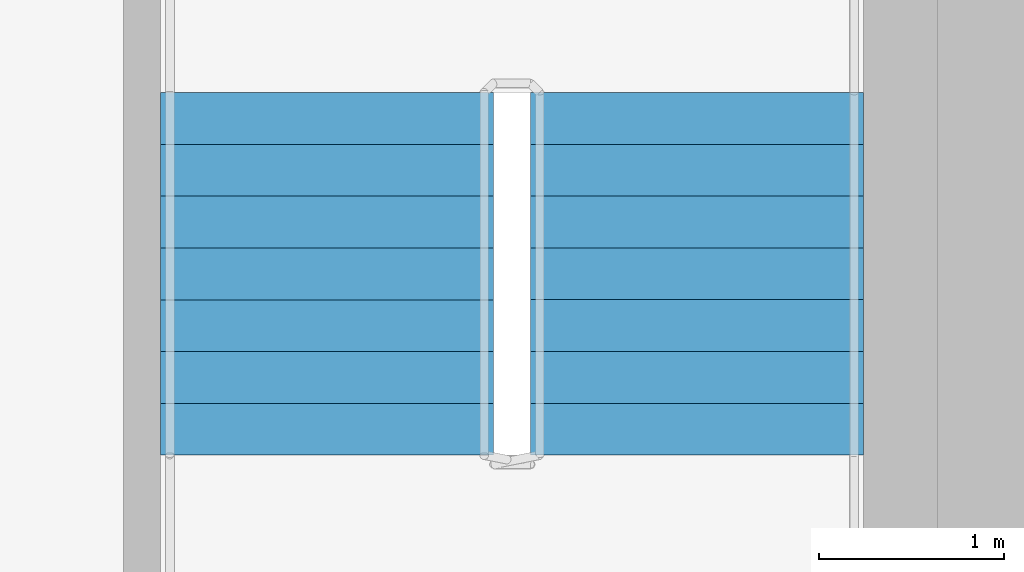
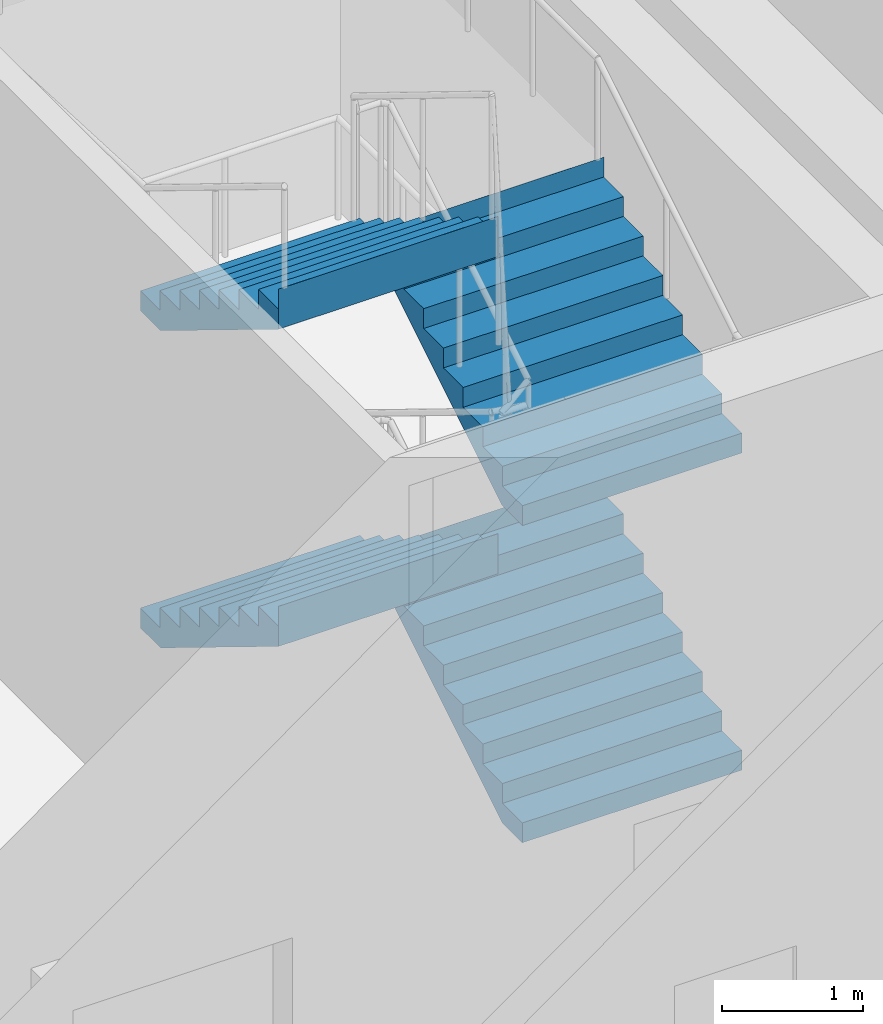
# One storey, part 12 of 15: 4 stair flights, 1 element without a shape of its own.
"""IFC4 building model written with IfcOpenShell, lengths in metres."""

from ifc_helpers import new_model, si_unit, direction, frame, origin, place, context, subcontext, project, spatial, polyline, outline, extrude, material, type_object, element, aggregate, save


model = new_model("IFC4")

# Units and contexts
model_context = context("Model", 3, precision=1e-05, world=origin(), true_north=direction((0.0, 1.0)))
body_context = subcontext(model_context, "Body", "Model", "MODEL_VIEW")
ifc_project = project(units=[si_unit("LENGTHUNIT", "METRE"), si_unit("AREAUNIT", "SQUARE_METRE"), si_unit("VOLUMEUNIT", "CUBIC_METRE"), si_unit("PLANEANGLEUNIT", "RADIAN"), si_unit("MASSUNIT", "GRAM", prefix="KILO")], contexts=[model_context])

# Site, building, storey
site_placement = place(None, origin())
site = spatial("IfcSite", under=ifc_project, at=site_placement, CompositionType="ELEMENT")
building_placement = place(site_placement, origin())
building = spatial("IfcBuilding", under=site, at=building_placement, Name="Tamorin Gate", CompositionType="ELEMENT")
storey_placement = place(building_placement, frame((0.0, 0.0, 292.199951171875)))
storey = spatial("IfcBuildingStorey", under=building, at=storey_placement, Name="L73", CompositionType="ELEMENT", Elevation=292.199951171875)

# Stair, stair flights
ifc_material = material(Name="Concrete C40/50", Category="concrete")
stair_type = type_object("IfcStairType", Name="Exit stair", PredefinedType="HALF_TURN_STAIR", material=ifc_material)
stair_placement = place(storey_placement, origin())
stair = element("IfcStair", 1, at=stair_placement, inside=storey, type_object=stair_type, Name="L73 stair ST3", PredefinedType="HALF_TURN_STAIR")
stair_flight_type = type_object("IfcStairFlightType", Name="Exit stair flight", PredefinedType="STRAIGHT", material=ifc_material)
stair_flight_1_placement = place(storey_placement, frame((58.10009765625, 62.800048828125, 0.0), z_axis=(0.0, 0.0, 1.0), x_axis=(0.0, 1.0, 0.0)))
stair_flight_1 = element("IfcStairFlight", 2, at=stair_flight_1_placement, type_object=stair_flight_type, Name="ST3 flight 1", NumberOfRisers=8, NumberOfTreads=7, PredefinedType="STRAIGHT", RiserHeight=0.171875, TreadLength=0.28, context=body_context, shape_type="SweptSolid", body=[
    extrude(outline(polyline([(-0.00048828125, 0.0), (-0.00048828125, 0.001708984375), (-0.00048828125, 0.00341796875), (-0.00048828125, 0.005126953125), (-0.00048828125, 0.0068359375), (-0.00048828125, 0.008544921875), (-0.00048828125, 0.01025390625), (-0.00048828125, 0.011962890625), (-0.00048828125, 0.013671875), (-0.00048828125, 0.015380859375), (-0.00048828125, 0.01708984375), (-0.00048828125, 0.018798828125), (-0.00048828125, 0.0205078125), (-0.00048828125, 0.022216796875), (-0.00048828125, 0.02392578125), (-0.00048828125, 0.025634765625), (-0.00048828125, 0.02734375), (-0.00048828125, 0.02880859375), (-0.00048828125, 0.030517578125), (-0.00048828125, 0.0322265625), (-0.00048828125, 0.033935546875), (-0.00048828125, 0.03564453125), (-0.00048828125, 0.037353515625), (-0.00048828125, 0.0390625), (-0.00048828125, 0.040771484375), (-0.00048828125, 0.04248046875), (-0.00048828125, 0.044189453125), (-0.00048828125, 0.0458984375), (-0.00048828125, 0.047607421875), (-0.00048828125, 0.04931640625), (-0.00048828125, 0.051025390625), (-0.00048828125, 0.052734375), (-0.00048828125, 0.054443359375), (-0.00048828125, 0.05615234375), (-0.00048828125, 0.057861328125), (-0.00048828125, 0.0595703125), (-0.00048828125, 0.061279296875), (-0.00048828125, 0.06298828125), (-0.00048828125, 0.064697265625), (-0.00048828125, 0.06640625), (-0.00048828125, 0.068115234375), (-0.00048828125, 0.06982421875), (-0.00048828125, 0.071533203125), (-0.00048828125, 0.0732421875), (-0.00048828125, 0.074951171875), (-0.00048828125, 0.07666015625), (-0.00048828125, 0.078369140625), (-0.00048828125, 0.080078125), (-0.00048828125, 0.081787109375), (-0.00048828125, 0.08349609375), (-0.00048828125, 0.085205078125), (-0.00048828125, 0.086669921875), (-0.00048828125, 0.08837890625), (-0.00048828125, 0.090087890625), (-0.00048828125, 0.091796875), (-0.00048828125, 0.093505859375), (-0.00048828125, 0.09521484375), (-0.00048828125, 0.096923828125), (-0.00048828125, 0.0986328125), (-0.00048828125, 0.100341796875), (-0.00048828125, 0.10205078125), (-0.00048828125, 0.103759765625), (-0.00048828125, 0.10546875), (-0.00048828125, 0.107177734375), (-0.00048828125, 0.10888671875), (-0.00048828125, 0.110595703125), (-0.00048828125, 0.1123046875), (-0.00048828125, 0.114013671875), (-0.00048828125, 0.11572265625), (-0.00048828125, 0.117431640625), (-0.00048828125, 0.119140625), (-0.00048828125, 0.120849609375), (-0.00048828125, 0.12255859375), (-0.00048828125, 0.124267578125), (-0.00048828125, 0.1259765625), (-0.00048828125, 0.127685546875), (-0.00048828125, 0.12939453125), (-0.00048828125, 0.131103515625), (-0.00048828125, 0.1328125), (-0.00048828125, 0.134521484375), (-0.00048828125, 0.13623046875), (-0.00048828125, 0.137939453125), (-0.00048828125, 0.1396484375), (-0.00048828125, 0.141357421875), (-0.00048828125, 0.14306640625), (-0.00048828125, 0.14453125), (-0.00048828125, 0.146240234375), (-0.00048828125, 0.14794921875), (-0.00048828125, 0.149658203125), (-0.00048828125, 0.1513671875), (-0.00048828125, 0.153076171875), (-0.00048828125, 0.15478515625), (-0.00048828125, 0.156494140625), (-0.00048828125, 0.158203125), (-0.00048828125, 0.159912109375), (-0.00048828125, 0.16162109375), (-0.00048828125, 0.163330078125), (-0.00048828125, 0.1650390625), (-0.00048828125, 0.166748046875), (-0.00048828125, 0.16845703125), (-0.00048828125, 0.170166015625), (-0.00048828125, 0.171875), (0.280029296875, 0.171875), (0.280029296875, 0.34375), (0.56005859375, 0.34375), (0.56005859375, 0.515625), (0.840087890625, 0.515625), (0.840087890625, 0.6875), (1.1201171875, 0.6875), (1.1201171875, 0.859375), (1.39990234375, 0.859375), (1.39990234375, 1.03125), (1.679931640625, 1.03125), (1.679931640625, 1.203125), (1.9599609375, 1.203125), (1.9599609375, 1.375), (1.96044921875, 1.375), (1.96044921875, 1.37158203125), (1.96044921875, 1.3681640625), (1.96044921875, 1.36474609375), (1.96044921875, 1.361328125), (1.96044921875, 1.357666015625), (1.96044921875, 1.354248046875), (1.96044921875, 1.350830078125), (1.96044921875, 1.347412109375), (1.96044921875, 1.343994140625), (1.96044921875, 1.340576171875), (1.96044921875, 1.337158203125), (1.96044921875, 1.333740234375), (1.96044921875, 1.330322265625), (1.96044921875, 1.326904296875), (1.96044921875, 1.3232421875), (1.96044921875, 1.31982421875), (1.96044921875, 1.31640625), (1.96044921875, 1.31298828125), (1.96044921875, 1.3095703125), (1.96044921875, 1.30615234375), (1.96044921875, 1.302734375), (1.96044921875, 1.29931640625), (1.96044921875, 1.2958984375), (1.96044921875, 1.29248046875), (1.96044921875, 1.288818359375), (1.96044921875, 1.285400390625), (1.96044921875, 1.281982421875), (1.96044921875, 1.278564453125), (1.96044921875, 1.275146484375), (1.96044921875, 1.271728515625), (1.96044921875, 1.268310546875), (1.96044921875, 1.264892578125), (1.96044921875, 1.261474609375), (1.96044921875, 1.2578125), (1.96044921875, 1.25439453125), (1.96044921875, 1.2509765625), (1.96044921875, 1.24755859375), (1.96044921875, 1.244140625), (1.96044921875, 1.24072265625), (1.96044921875, 1.2373046875), (1.96044921875, 1.23388671875), (1.96044921875, 1.23046875), (1.96044921875, 1.22705078125), (1.96044921875, 1.223388671875), (1.96044921875, 1.219970703125), (1.96044921875, 1.216552734375), (1.96044921875, 1.213134765625), (1.96044921875, 1.209716796875), (1.96044921875, 1.206298828125), (1.96044921875, 1.202880859375), (1.96044921875, 1.199462890625), (1.96044921875, 1.196044921875), (1.96044921875, 1.192626953125), (1.96044921875, 1.18896484375), (1.96044921875, 1.185546875), (1.96044921875, 1.18212890625), (1.96044921875, 1.1787109375), (1.96044921875, 1.17529296875), (1.96044921875, 1.171875), (1.96044921875, 1.16845703125), (1.96044921875, 1.1650390625), (1.96044921875, 1.16162109375), (1.96044921875, 1.157958984375), (1.96044921875, 1.154541015625), (1.96044921875, 1.151123046875), (1.96044921875, 1.147705078125), (1.96044921875, 1.144287109375), (1.96044921875, 1.140869140625), (1.96044921875, 1.137451171875), (1.96044921875, 1.134033203125), (1.96044921875, 1.130615234375), (1.96044921875, 1.127197265625), (1.96044921875, 1.12353515625), (1.96044921875, 1.1201171875), (1.96044921875, 1.11669921875), (1.96044921875, 1.11328125), (1.96044921875, 1.10986328125), (1.96044921875, 1.1064453125), (1.96044921875, 1.10302734375), (1.96044921875, 1.099609375), (1.96044921875, 1.09619140625), (1.96044921875, 1.0927734375), (1.96044921875, 1.089111328125), (1.96044921875, 1.085693359375), (1.96044921875, 1.082275390625), (1.96044921875, 1.078857421875), (1.96044921875, 1.075439453125), (1.96044921875, 1.072021484375), (1.96044921875, 1.068603515625), (1.96044921875, 1.065185546875), (1.96044921875, 1.061767578125), (1.96044921875, 1.05810546875), (1.96044921875, 1.0546875), (1.96044921875, 1.05126953125), (1.96044921875, 1.0478515625), (1.96044921875, 1.04443359375), (1.96044921875, 1.041015625), (1.96044921875, 1.03759765625), (1.96044921875, 1.0341796875), (1.96044921875, 1.03076171875), (1.96044921875, 1.02734375), (1.9599609375, 1.02734375), (0.28662109375, 0.0), (-0.00048828125, 0.0)])), frame((0.0, 0.89990234375, 0.0), z_axis=(0.0, -1.0, 0.0), x_axis=(1.0, 0.0, 0.0)), (0.0, 0.0, 1.0), 1.800048828125),
])
stair_flight_2_placement = place(storey_placement, frame((56.10009765625, 64.760009765625, 1.375), z_axis=(0.0, 0.0, 1.0), x_axis=(0.0, -1.0, 0.0)))
stair_flight_2 = element("IfcStairFlight", 3, at=stair_flight_2_placement, type_object=stair_flight_type, Name="ST3 flight 2", NumberOfRisers=8, NumberOfTreads=7, PredefinedType="STRAIGHT", RiserHeight=0.171875, TreadLength=0.28, context=body_context, shape_type="SweptSolid", body=[
    extrude(outline(polyline([(-0.00048828125, 0.0), (-0.00048828125, 0.001708984375), (-0.00048828125, 0.00341796875), (-0.00048828125, 0.005126953125), (-0.00048828125, 0.0068359375), (-0.00048828125, 0.008544921875), (-0.00048828125, 0.01025390625), (-0.00048828125, 0.011962890625), (-0.00048828125, 0.013671875), (-0.00048828125, 0.015380859375), (-0.00048828125, 0.01708984375), (-0.00048828125, 0.018798828125), (-0.00048828125, 0.0205078125), (-0.00048828125, 0.022216796875), (-0.00048828125, 0.02392578125), (-0.00048828125, 0.025634765625), (-0.00048828125, 0.02734375), (-0.00048828125, 0.02880859375), (-0.00048828125, 0.030517578125), (-0.00048828125, 0.0322265625), (-0.00048828125, 0.033935546875), (-0.00048828125, 0.03564453125), (-0.00048828125, 0.037353515625), (-0.00048828125, 0.0390625), (-0.00048828125, 0.040771484375), (-0.00048828125, 0.04248046875), (-0.00048828125, 0.044189453125), (-0.00048828125, 0.0458984375), (-0.00048828125, 0.047607421875), (-0.00048828125, 0.04931640625), (-0.00048828125, 0.051025390625), (-0.00048828125, 0.052734375), (-0.00048828125, 0.054443359375), (-0.00048828125, 0.05615234375), (-0.00048828125, 0.057861328125), (-0.00048828125, 0.0595703125), (-0.00048828125, 0.061279296875), (-0.00048828125, 0.06298828125), (-0.00048828125, 0.064697265625), (-0.00048828125, 0.06640625), (-0.00048828125, 0.068115234375), (-0.00048828125, 0.06982421875), (-0.00048828125, 0.071533203125), (-0.00048828125, 0.0732421875), (-0.00048828125, 0.074951171875), (-0.00048828125, 0.07666015625), (-0.00048828125, 0.078369140625), (-0.00048828125, 0.080078125), (-0.00048828125, 0.081787109375), (-0.00048828125, 0.08349609375), (-0.00048828125, 0.085205078125), (-0.00048828125, 0.086669921875), (-0.00048828125, 0.08837890625), (-0.00048828125, 0.090087890625), (-0.00048828125, 0.091796875), (-0.00048828125, 0.093505859375), (-0.00048828125, 0.09521484375), (-0.00048828125, 0.096923828125), (-0.00048828125, 0.0986328125), (-0.00048828125, 0.100341796875), (-0.00048828125, 0.10205078125), (-0.00048828125, 0.103759765625), (-0.00048828125, 0.10546875), (-0.00048828125, 0.107177734375), (-0.00048828125, 0.10888671875), (-0.00048828125, 0.110595703125), (-0.00048828125, 0.1123046875), (-0.00048828125, 0.114013671875), (-0.00048828125, 0.11572265625), (-0.00048828125, 0.117431640625), (-0.00048828125, 0.119140625), (-0.00048828125, 0.120849609375), (-0.00048828125, 0.12255859375), (-0.00048828125, 0.124267578125), (-0.00048828125, 0.1259765625), (-0.00048828125, 0.127685546875), (-0.00048828125, 0.12939453125), (-0.00048828125, 0.131103515625), (-0.00048828125, 0.1328125), (-0.00048828125, 0.134521484375), (-0.00048828125, 0.13623046875), (-0.00048828125, 0.137939453125), (-0.00048828125, 0.1396484375), (-0.00048828125, 0.141357421875), (-0.00048828125, 0.14306640625), (-0.00048828125, 0.14453125), (-0.00048828125, 0.146240234375), (-0.00048828125, 0.14794921875), (-0.00048828125, 0.149658203125), (-0.00048828125, 0.1513671875), (-0.00048828125, 0.153076171875), (-0.00048828125, 0.15478515625), (-0.00048828125, 0.156494140625), (-0.00048828125, 0.158203125), (-0.00048828125, 0.159912109375), (-0.00048828125, 0.16162109375), (-0.00048828125, 0.163330078125), (-0.00048828125, 0.1650390625), (-0.00048828125, 0.166748046875), (-0.00048828125, 0.16845703125), (-0.00048828125, 0.170166015625), (-0.00048828125, 0.171875), (0.280029296875, 0.171875), (0.280029296875, 0.34375), (0.56005859375, 0.34375), (0.56005859375, 0.515625), (0.840087890625, 0.515625), (0.840087890625, 0.6875), (1.1201171875, 0.6875), (1.1201171875, 0.859375), (1.39990234375, 0.859375), (1.39990234375, 1.03125), (1.679931640625, 1.03125), (1.679931640625, 1.203125), (1.9599609375, 1.203125), (1.9599609375, 1.375), (1.96044921875, 1.375), (1.96044921875, 1.37158203125), (1.96044921875, 1.3681640625), (1.96044921875, 1.36474609375), (1.96044921875, 1.361328125), (1.96044921875, 1.357666015625), (1.96044921875, 1.354248046875), (1.96044921875, 1.350830078125), (1.96044921875, 1.347412109375), (1.96044921875, 1.343994140625), (1.96044921875, 1.340576171875), (1.96044921875, 1.337158203125), (1.96044921875, 1.333740234375), (1.96044921875, 1.330322265625), (1.96044921875, 1.326904296875), (1.96044921875, 1.3232421875), (1.96044921875, 1.31982421875), (1.96044921875, 1.31640625), (1.96044921875, 1.31298828125), (1.96044921875, 1.3095703125), (1.96044921875, 1.30615234375), (1.96044921875, 1.302734375), (1.96044921875, 1.29931640625), (1.96044921875, 1.2958984375), (1.96044921875, 1.29248046875), (1.96044921875, 1.288818359375), (1.96044921875, 1.285400390625), (1.96044921875, 1.281982421875), (1.96044921875, 1.278564453125), (1.96044921875, 1.275146484375), (1.96044921875, 1.271728515625), (1.96044921875, 1.268310546875), (1.96044921875, 1.264892578125), (1.96044921875, 1.261474609375), (1.96044921875, 1.2578125), (1.96044921875, 1.25439453125), (1.96044921875, 1.2509765625), (1.96044921875, 1.24755859375), (1.96044921875, 1.244140625), (1.96044921875, 1.24072265625), (1.96044921875, 1.2373046875), (1.96044921875, 1.23388671875), (1.96044921875, 1.23046875), (1.96044921875, 1.22705078125), (1.96044921875, 1.223388671875), (1.96044921875, 1.219970703125), (1.96044921875, 1.216552734375), (1.96044921875, 1.213134765625), (1.96044921875, 1.209716796875), (1.96044921875, 1.206298828125), (1.96044921875, 1.202880859375), (1.96044921875, 1.199462890625), (1.96044921875, 1.196044921875), (1.96044921875, 1.192626953125), (1.96044921875, 1.18896484375), (1.96044921875, 1.185546875), (1.96044921875, 1.18212890625), (1.96044921875, 1.1787109375), (1.96044921875, 1.17529296875), (1.96044921875, 1.171875), (1.96044921875, 1.16845703125), (1.96044921875, 1.1650390625), (1.96044921875, 1.16162109375), (1.96044921875, 1.157958984375), (1.96044921875, 1.154541015625), (1.96044921875, 1.151123046875), (1.96044921875, 1.147705078125), (1.96044921875, 1.144287109375), (1.96044921875, 1.140869140625), (1.96044921875, 1.137451171875), (1.96044921875, 1.134033203125), (1.96044921875, 1.130615234375), (1.96044921875, 1.127197265625), (1.96044921875, 1.12353515625), (1.96044921875, 1.1201171875), (1.96044921875, 1.11669921875), (1.96044921875, 1.11328125), (1.96044921875, 1.10986328125), (1.96044921875, 1.1064453125), (1.96044921875, 1.10302734375), (1.96044921875, 1.099609375), (1.96044921875, 1.09619140625), (1.96044921875, 1.0927734375), (1.96044921875, 1.089111328125), (1.96044921875, 1.085693359375), (1.96044921875, 1.082275390625), (1.96044921875, 1.078857421875), (1.96044921875, 1.075439453125), (1.96044921875, 1.072021484375), (1.96044921875, 1.068603515625), (1.96044921875, 1.065185546875), (1.96044921875, 1.061767578125), (1.96044921875, 1.05810546875), (1.96044921875, 1.0546875), (1.96044921875, 1.05126953125), (1.96044921875, 1.0478515625), (1.96044921875, 1.04443359375), (1.96044921875, 1.041015625), (1.96044921875, 1.03759765625), (1.96044921875, 1.0341796875), (1.96044921875, 1.03076171875), (1.96044921875, 1.02734375), (1.9599609375, 1.02734375), (0.28662109375, 0.0), (-0.00048828125, 0.0)])), frame((0.0, 0.89990234375, 0.0), z_axis=(0.0, -1.0, 0.0), x_axis=(1.0, 0.0, 0.0)), (0.0, 0.0, 1.0), 1.800048828125),
])
stair_flight_3_placement = place(storey_placement, frame((58.10009765625, 62.800048828125, 2.75), z_axis=(0.0, 0.0, 1.0), x_axis=(0.0, 1.0, 0.0)))
stair_flight_3 = element("IfcStairFlight", 4, at=stair_flight_3_placement, type_object=stair_flight_type, Name="ST3 flight 3", NumberOfRisers=8, NumberOfTreads=7, PredefinedType="STRAIGHT", RiserHeight=0.171875, TreadLength=0.28, context=body_context, shape_type="SweptSolid", body=[
    extrude(outline(polyline([(-0.00048828125, 0.0), (-0.00048828125, 0.001708984375), (-0.00048828125, 0.00341796875), (-0.00048828125, 0.005126953125), (-0.00048828125, 0.0068359375), (-0.00048828125, 0.008544921875), (-0.00048828125, 0.01025390625), (-0.00048828125, 0.011962890625), (-0.00048828125, 0.013671875), (-0.00048828125, 0.015380859375), (-0.00048828125, 0.01708984375), (-0.00048828125, 0.018798828125), (-0.00048828125, 0.0205078125), (-0.00048828125, 0.022216796875), (-0.00048828125, 0.02392578125), (-0.00048828125, 0.025634765625), (-0.00048828125, 0.02734375), (-0.00048828125, 0.02880859375), (-0.00048828125, 0.030517578125), (-0.00048828125, 0.0322265625), (-0.00048828125, 0.033935546875), (-0.00048828125, 0.03564453125), (-0.00048828125, 0.037353515625), (-0.00048828125, 0.0390625), (-0.00048828125, 0.040771484375), (-0.00048828125, 0.04248046875), (-0.00048828125, 0.044189453125), (-0.00048828125, 0.0458984375), (-0.00048828125, 0.047607421875), (-0.00048828125, 0.04931640625), (-0.00048828125, 0.051025390625), (-0.00048828125, 0.052734375), (-0.00048828125, 0.054443359375), (-0.00048828125, 0.05615234375), (-0.00048828125, 0.057861328125), (-0.00048828125, 0.0595703125), (-0.00048828125, 0.061279296875), (-0.00048828125, 0.06298828125), (-0.00048828125, 0.064697265625), (-0.00048828125, 0.06640625), (-0.00048828125, 0.068115234375), (-0.00048828125, 0.06982421875), (-0.00048828125, 0.071533203125), (-0.00048828125, 0.0732421875), (-0.00048828125, 0.074951171875), (-0.00048828125, 0.07666015625), (-0.00048828125, 0.078369140625), (-0.00048828125, 0.080078125), (-0.00048828125, 0.081787109375), (-0.00048828125, 0.08349609375), (-0.00048828125, 0.085205078125), (-0.00048828125, 0.086669921875), (-0.00048828125, 0.08837890625), (-0.00048828125, 0.090087890625), (-0.00048828125, 0.091796875), (-0.00048828125, 0.093505859375), (-0.00048828125, 0.09521484375), (-0.00048828125, 0.096923828125), (-0.00048828125, 0.0986328125), (-0.00048828125, 0.100341796875), (-0.00048828125, 0.10205078125), (-0.00048828125, 0.103759765625), (-0.00048828125, 0.10546875), (-0.00048828125, 0.107177734375), (-0.00048828125, 0.10888671875), (-0.00048828125, 0.110595703125), (-0.00048828125, 0.1123046875), (-0.00048828125, 0.114013671875), (-0.00048828125, 0.11572265625), (-0.00048828125, 0.117431640625), (-0.00048828125, 0.119140625), (-0.00048828125, 0.120849609375), (-0.00048828125, 0.12255859375), (-0.00048828125, 0.124267578125), (-0.00048828125, 0.1259765625), (-0.00048828125, 0.127685546875), (-0.00048828125, 0.12939453125), (-0.00048828125, 0.131103515625), (-0.00048828125, 0.1328125), (-0.00048828125, 0.134521484375), (-0.00048828125, 0.13623046875), (-0.00048828125, 0.137939453125), (-0.00048828125, 0.1396484375), (-0.00048828125, 0.141357421875), (-0.00048828125, 0.14306640625), (-0.00048828125, 0.14453125), (-0.00048828125, 0.146240234375), (-0.00048828125, 0.14794921875), (-0.00048828125, 0.149658203125), (-0.00048828125, 0.1513671875), (-0.00048828125, 0.153076171875), (-0.00048828125, 0.15478515625), (-0.00048828125, 0.156494140625), (-0.00048828125, 0.158203125), (-0.00048828125, 0.159912109375), (-0.00048828125, 0.16162109375), (-0.00048828125, 0.163330078125), (-0.00048828125, 0.1650390625), (-0.00048828125, 0.166748046875), (-0.00048828125, 0.16845703125), (-0.00048828125, 0.170166015625), (-0.00048828125, 0.171875), (0.280029296875, 0.171875), (0.280029296875, 0.34375), (0.56005859375, 0.34375), (0.56005859375, 0.515625), (0.840087890625, 0.515625), (0.840087890625, 0.6875), (1.1201171875, 0.6875), (1.1201171875, 0.859375), (1.39990234375, 0.859375), (1.39990234375, 1.03125), (1.679931640625, 1.03125), (1.679931640625, 1.203125), (1.9599609375, 1.203125), (1.9599609375, 1.375), (1.96044921875, 1.375), (1.96044921875, 1.37158203125), (1.96044921875, 1.3681640625), (1.96044921875, 1.36474609375), (1.96044921875, 1.361328125), (1.96044921875, 1.357666015625), (1.96044921875, 1.354248046875), (1.96044921875, 1.350830078125), (1.96044921875, 1.347412109375), (1.96044921875, 1.343994140625), (1.96044921875, 1.340576171875), (1.96044921875, 1.337158203125), (1.96044921875, 1.333740234375), (1.96044921875, 1.330322265625), (1.96044921875, 1.326904296875), (1.96044921875, 1.3232421875), (1.96044921875, 1.31982421875), (1.96044921875, 1.31640625), (1.96044921875, 1.31298828125), (1.96044921875, 1.3095703125), (1.96044921875, 1.30615234375), (1.96044921875, 1.302734375), (1.96044921875, 1.29931640625), (1.96044921875, 1.2958984375), (1.96044921875, 1.29248046875), (1.96044921875, 1.288818359375), (1.96044921875, 1.285400390625), (1.96044921875, 1.281982421875), (1.96044921875, 1.278564453125), (1.96044921875, 1.275146484375), (1.96044921875, 1.271728515625), (1.96044921875, 1.268310546875), (1.96044921875, 1.264892578125), (1.96044921875, 1.261474609375), (1.96044921875, 1.2578125), (1.96044921875, 1.25439453125), (1.96044921875, 1.2509765625), (1.96044921875, 1.24755859375), (1.96044921875, 1.244140625), (1.96044921875, 1.24072265625), (1.96044921875, 1.2373046875), (1.96044921875, 1.23388671875), (1.96044921875, 1.23046875), (1.96044921875, 1.22705078125), (1.96044921875, 1.223388671875), (1.96044921875, 1.219970703125), (1.96044921875, 1.216552734375), (1.96044921875, 1.213134765625), (1.96044921875, 1.209716796875), (1.96044921875, 1.206298828125), (1.96044921875, 1.202880859375), (1.96044921875, 1.199462890625), (1.96044921875, 1.196044921875), (1.96044921875, 1.192626953125), (1.96044921875, 1.18896484375), (1.96044921875, 1.185546875), (1.96044921875, 1.18212890625), (1.96044921875, 1.1787109375), (1.96044921875, 1.17529296875), (1.96044921875, 1.171875), (1.96044921875, 1.16845703125), (1.96044921875, 1.1650390625), (1.96044921875, 1.16162109375), (1.96044921875, 1.157958984375), (1.96044921875, 1.154541015625), (1.96044921875, 1.151123046875), (1.96044921875, 1.147705078125), (1.96044921875, 1.144287109375), (1.96044921875, 1.140869140625), (1.96044921875, 1.137451171875), (1.96044921875, 1.134033203125), (1.96044921875, 1.130615234375), (1.96044921875, 1.127197265625), (1.96044921875, 1.12353515625), (1.96044921875, 1.1201171875), (1.96044921875, 1.11669921875), (1.96044921875, 1.11328125), (1.96044921875, 1.10986328125), (1.96044921875, 1.1064453125), (1.96044921875, 1.10302734375), (1.96044921875, 1.099609375), (1.96044921875, 1.09619140625), (1.96044921875, 1.0927734375), (1.96044921875, 1.089111328125), (1.96044921875, 1.085693359375), (1.96044921875, 1.082275390625), (1.96044921875, 1.078857421875), (1.96044921875, 1.075439453125), (1.96044921875, 1.072021484375), (1.96044921875, 1.068603515625), (1.96044921875, 1.065185546875), (1.96044921875, 1.061767578125), (1.96044921875, 1.05810546875), (1.96044921875, 1.0546875), (1.96044921875, 1.05126953125), (1.96044921875, 1.0478515625), (1.96044921875, 1.04443359375), (1.96044921875, 1.041015625), (1.96044921875, 1.03759765625), (1.96044921875, 1.0341796875), (1.96044921875, 1.03076171875), (1.96044921875, 1.02734375), (1.9599609375, 1.02734375), (0.28662109375, 0.0), (-0.00048828125, 0.0)])), frame((0.0, 0.89990234375, 0.0), z_axis=(0.0, -1.0, 0.0), x_axis=(1.0, 0.0, 0.0)), (0.0, 0.0, 1.0), 1.800048828125),
])
stair_flight_4_placement = place(storey_placement, frame((56.10009765625, 64.760009765625, 4.125), z_axis=(0.0, 0.0, 1.0), x_axis=(0.0, -1.0, 0.0)))
stair_flight_4 = element("IfcStairFlight", 5, at=stair_flight_4_placement, type_object=stair_flight_type, Name="ST3 flight 4", NumberOfRisers=8, NumberOfTreads=7, PredefinedType="STRAIGHT", RiserHeight=0.171875, TreadLength=0.28, context=body_context, shape_type="SweptSolid", body=[
    extrude(outline(polyline([(-0.00048828125, 0.0), (-0.00048828125, 0.001708984375), (-0.00048828125, 0.00341796875), (-0.00048828125, 0.005126953125), (-0.00048828125, 0.0068359375), (-0.00048828125, 0.008544921875), (-0.00048828125, 0.01025390625), (-0.00048828125, 0.011962890625), (-0.00048828125, 0.013671875), (-0.00048828125, 0.015380859375), (-0.00048828125, 0.01708984375), (-0.00048828125, 0.018798828125), (-0.00048828125, 0.0205078125), (-0.00048828125, 0.022216796875), (-0.00048828125, 0.02392578125), (-0.00048828125, 0.025634765625), (-0.00048828125, 0.02734375), (-0.00048828125, 0.02880859375), (-0.00048828125, 0.030517578125), (-0.00048828125, 0.0322265625), (-0.00048828125, 0.033935546875), (-0.00048828125, 0.03564453125), (-0.00048828125, 0.037353515625), (-0.00048828125, 0.0390625), (-0.00048828125, 0.040771484375), (-0.00048828125, 0.04248046875), (-0.00048828125, 0.044189453125), (-0.00048828125, 0.0458984375), (-0.00048828125, 0.047607421875), (-0.00048828125, 0.04931640625), (-0.00048828125, 0.051025390625), (-0.00048828125, 0.052734375), (-0.00048828125, 0.054443359375), (-0.00048828125, 0.05615234375), (-0.00048828125, 0.057861328125), (-0.00048828125, 0.0595703125), (-0.00048828125, 0.061279296875), (-0.00048828125, 0.06298828125), (-0.00048828125, 0.064697265625), (-0.00048828125, 0.06640625), (-0.00048828125, 0.068115234375), (-0.00048828125, 0.06982421875), (-0.00048828125, 0.071533203125), (-0.00048828125, 0.0732421875), (-0.00048828125, 0.074951171875), (-0.00048828125, 0.07666015625), (-0.00048828125, 0.078369140625), (-0.00048828125, 0.080078125), (-0.00048828125, 0.081787109375), (-0.00048828125, 0.08349609375), (-0.00048828125, 0.085205078125), (-0.00048828125, 0.086669921875), (-0.00048828125, 0.08837890625), (-0.00048828125, 0.090087890625), (-0.00048828125, 0.091796875), (-0.00048828125, 0.093505859375), (-0.00048828125, 0.09521484375), (-0.00048828125, 0.096923828125), (-0.00048828125, 0.0986328125), (-0.00048828125, 0.100341796875), (-0.00048828125, 0.10205078125), (-0.00048828125, 0.103759765625), (-0.00048828125, 0.10546875), (-0.00048828125, 0.107177734375), (-0.00048828125, 0.10888671875), (-0.00048828125, 0.110595703125), (-0.00048828125, 0.1123046875), (-0.00048828125, 0.114013671875), (-0.00048828125, 0.11572265625), (-0.00048828125, 0.117431640625), (-0.00048828125, 0.119140625), (-0.00048828125, 0.120849609375), (-0.00048828125, 0.12255859375), (-0.00048828125, 0.124267578125), (-0.00048828125, 0.1259765625), (-0.00048828125, 0.127685546875), (-0.00048828125, 0.12939453125), (-0.00048828125, 0.131103515625), (-0.00048828125, 0.1328125), (-0.00048828125, 0.134521484375), (-0.00048828125, 0.13623046875), (-0.00048828125, 0.137939453125), (-0.00048828125, 0.1396484375), (-0.00048828125, 0.141357421875), (-0.00048828125, 0.14306640625), (-0.00048828125, 0.14453125), (-0.00048828125, 0.146240234375), (-0.00048828125, 0.14794921875), (-0.00048828125, 0.149658203125), (-0.00048828125, 0.1513671875), (-0.00048828125, 0.153076171875), (-0.00048828125, 0.15478515625), (-0.00048828125, 0.156494140625), (-0.00048828125, 0.158203125), (-0.00048828125, 0.159912109375), (-0.00048828125, 0.16162109375), (-0.00048828125, 0.163330078125), (-0.00048828125, 0.1650390625), (-0.00048828125, 0.166748046875), (-0.00048828125, 0.16845703125), (-0.00048828125, 0.170166015625), (-0.00048828125, 0.171875), (0.280029296875, 0.171875), (0.280029296875, 0.34375), (0.56005859375, 0.34375), (0.56005859375, 0.515625), (0.840087890625, 0.515625), (0.840087890625, 0.6875), (1.1201171875, 0.6875), (1.1201171875, 0.859375), (1.39990234375, 0.859375), (1.39990234375, 1.03125), (1.679931640625, 1.03125), (1.679931640625, 1.203125), (1.9599609375, 1.203125), (1.9599609375, 1.375), (1.96044921875, 1.375), (1.96044921875, 1.37158203125), (1.96044921875, 1.3681640625), (1.96044921875, 1.36474609375), (1.96044921875, 1.361328125), (1.96044921875, 1.357666015625), (1.96044921875, 1.354248046875), (1.96044921875, 1.350830078125), (1.96044921875, 1.347412109375), (1.96044921875, 1.343994140625), (1.96044921875, 1.340576171875), (1.96044921875, 1.337158203125), (1.96044921875, 1.333740234375), (1.96044921875, 1.330322265625), (1.96044921875, 1.326904296875), (1.96044921875, 1.3232421875), (1.96044921875, 1.31982421875), (1.96044921875, 1.31640625), (1.96044921875, 1.31298828125), (1.96044921875, 1.3095703125), (1.96044921875, 1.30615234375), (1.96044921875, 1.302734375), (1.96044921875, 1.29931640625), (1.96044921875, 1.2958984375), (1.96044921875, 1.29248046875), (1.96044921875, 1.288818359375), (1.96044921875, 1.285400390625), (1.96044921875, 1.281982421875), (1.96044921875, 1.278564453125), (1.96044921875, 1.275146484375), (1.96044921875, 1.271728515625), (1.96044921875, 1.268310546875), (1.96044921875, 1.264892578125), (1.96044921875, 1.261474609375), (1.96044921875, 1.2578125), (1.96044921875, 1.25439453125), (1.96044921875, 1.2509765625), (1.96044921875, 1.24755859375), (1.96044921875, 1.244140625), (1.96044921875, 1.24072265625), (1.96044921875, 1.2373046875), (1.96044921875, 1.23388671875), (1.96044921875, 1.23046875), (1.96044921875, 1.22705078125), (1.96044921875, 1.223388671875), (1.96044921875, 1.219970703125), (1.96044921875, 1.216552734375), (1.96044921875, 1.213134765625), (1.96044921875, 1.209716796875), (1.96044921875, 1.206298828125), (1.96044921875, 1.202880859375), (1.96044921875, 1.199462890625), (1.96044921875, 1.196044921875), (1.96044921875, 1.192626953125), (1.96044921875, 1.18896484375), (1.96044921875, 1.185546875), (1.96044921875, 1.18212890625), (1.96044921875, 1.1787109375), (1.96044921875, 1.17529296875), (1.96044921875, 1.171875), (1.96044921875, 1.16845703125), (1.96044921875, 1.1650390625), (1.96044921875, 1.16162109375), (1.96044921875, 1.157958984375), (1.96044921875, 1.154541015625), (1.96044921875, 1.151123046875), (1.96044921875, 1.147705078125), (1.96044921875, 1.144287109375), (1.96044921875, 1.140869140625), (1.96044921875, 1.137451171875), (1.96044921875, 1.134033203125), (1.96044921875, 1.130615234375), (1.96044921875, 1.127197265625), (1.96044921875, 1.12353515625), (1.96044921875, 1.1201171875), (1.96044921875, 1.11669921875), (1.96044921875, 1.11328125), (1.96044921875, 1.10986328125), (1.96044921875, 1.1064453125), (1.96044921875, 1.10302734375), (1.96044921875, 1.099609375), (1.96044921875, 1.09619140625), (1.96044921875, 1.0927734375), (1.96044921875, 1.089111328125), (1.96044921875, 1.085693359375), (1.96044921875, 1.082275390625), (1.96044921875, 1.078857421875), (1.96044921875, 1.075439453125), (1.96044921875, 1.072021484375), (1.96044921875, 1.068603515625), (1.96044921875, 1.065185546875), (1.96044921875, 1.061767578125), (1.96044921875, 1.05810546875), (1.96044921875, 1.0546875), (1.96044921875, 1.05126953125), (1.96044921875, 1.0478515625), (1.96044921875, 1.04443359375), (1.96044921875, 1.041015625), (1.96044921875, 1.03759765625), (1.96044921875, 1.0341796875), (1.96044921875, 1.03076171875), (1.96044921875, 1.02734375), (1.9599609375, 1.02734375), (0.28662109375, 0.0), (-0.00048828125, 0.0)])), frame((0.0, 0.89990234375, 0.0), z_axis=(0.0, -1.0, 0.0), x_axis=(1.0, 0.0, 0.0)), (0.0, 0.0, 1.0), 1.800048828125),
])
aggregate(stair, [stair_flight_1, stair_flight_2, stair_flight_3, stair_flight_4])

save(model, "model.ifc")
